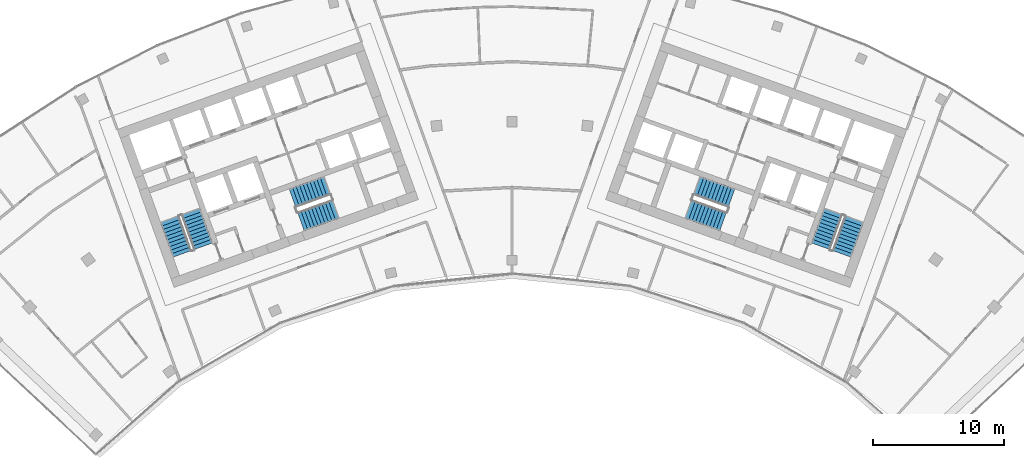
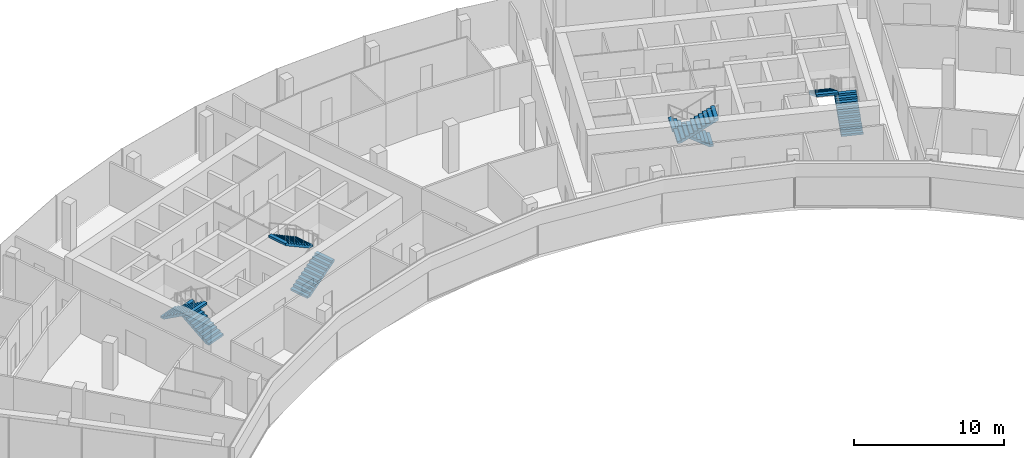
# One storey, part 17 of 18: 8 stair flights, 4 elements without a shape of their own.
"""IFC4 building model written with IfcOpenShell, lengths in metres."""

import ifcopenshell
import ifcopenshell.guid

model = None  # the IFC model being written
_history = None  # IfcOwnerHistory: only IFC2X3 demands one
_inside = {}  # id of a spatial element -> (the spatial element, [elements in it])
_under = {}  # id of a project, library or spatial element -> (it, [spatial elements below it])
_declared = {}  # id of a project -> (the project, [libraries it declares])
_typed = {}  # id of a type object -> (the type object, [elements of that type])
_made_of = {}  # id of a material, layer set ... -> (it, [elements and type objects made of it])


def new_model(schema):
    """Start an empty IFC model of exactly this schema.

    Asked for "IFC4X3", IfcOpenShell would pick the latest addendum, in which some entities
    have other attributes; the version numbers below select the first issue.
    IFC2X3 requires an IfcOwnerHistory on every rooted entity: one is made here for all.
    """
    global model, _history
    if schema == "IFC4X3":
        model = ifcopenshell.file(schema_version=(4, 3, 0, 0))
    else:
        model = ifcopenshell.file(schema=schema)
    _inside.clear()
    _under.clear()
    _declared.clear()
    _typed.clear()
    _made_of.clear()
    _history = None
    if model.schema == "IFC2X3":
        org = make("IfcOrganization", Name="unknown")
        user = make(
            "IfcPersonAndOrganization",
            ThePerson=make("IfcPerson", FamilyName="unknown"),
            TheOrganization=org,
        )
        app = make(
            "IfcApplication",
            ApplicationDeveloper=org,
            Version="unknown",
            ApplicationFullName="unknown",
            ApplicationIdentifier="unknown",
        )
        _history = make(
            "IfcOwnerHistory",
            OwningUser=user,
            OwningApplication=app,
            ChangeAction="ADDED",
            CreationDate=0,
        )
    return model


def make(cls, **values):
    """One entity of the class cls with the attributes given. An attribute that is None is left unset."""
    return model.create_entity(
        cls, **{name: value for name, value in values.items() if value is not None}
    )


def rooted(cls, **values):
    """An entity with a GlobalId (a new one), such as an element, a storey or a relation."""
    return make(cls, GlobalId=ifcopenshell.guid.new(), OwnerHistory=_history, **values)


def si_unit(unit_type, name, prefix=None):
    """IfcSIUnit, for example si_unit("LENGTHUNIT", "METRE", prefix="MILLI")."""
    return make("IfcSIUnit", UnitType=unit_type, Prefix=prefix, Name=name)


def assignment(units):
    """IfcUnitAssignment: the units of a project."""
    return None if units is None else make("IfcUnitAssignment", Units=units)


def point(xyz):
    """IfcCartesianPoint."""
    return None if xyz is None else make("IfcCartesianPoint", Coordinates=xyz)


def direction(xyz):
    """IfcDirection."""
    return None if xyz is None else make("IfcDirection", DirectionRatios=xyz)


def frame(location, z_axis=None, x_axis=None):
    """IfcAxis2Placement3D, a coordinate frame: its origin and axes. An axis left out is left unset."""
    return make(
        "IfcAxis2Placement3D",
        Location=point(location),
        Axis=direction(z_axis),
        RefDirection=direction(x_axis),
    )


def origin():
    """The frame at (0, 0, 0) with its axes left unset."""
    return frame((0.0, 0.0, 0.0))


def place(relative_to, where):
    """IfcLocalPlacement: puts the frame where relative to a parent placement (None: the world)."""
    return make(
        "IfcLocalPlacement", PlacementRelTo=relative_to, RelativePlacement=where
    )


def context(
    kind, dimensions, precision=None, world=None, true_north=None, identifier=None
):
    """IfcGeometricRepresentationContext, for example the 3D "Model" context."""
    return make(
        "IfcGeometricRepresentationContext",
        ContextIdentifier=identifier,
        ContextType=kind,
        CoordinateSpaceDimension=dimensions,
        Precision=precision,
        WorldCoordinateSystem=world,
        TrueNorth=true_north,
    )


def subcontext(parent, identifier, kind, view, scale=None):
    """IfcGeometricRepresentationSubContext, for example "Body" below "Model"."""
    return make(
        "IfcGeometricRepresentationSubContext",
        ContextIdentifier=identifier,
        ContextType=kind,
        ParentContext=parent,
        TargetScale=scale,
        TargetView=view,
    )


def project(units=None, contexts=None):
    """IfcProject with its units and contexts."""
    return rooted(
        "IfcProject",
        Name="project",
        RepresentationContexts=contexts,
        UnitsInContext=assignment(units),
    )


def spatial(cls, under=None, at=None, **own):
    """A site, building, storey or space (cls), placed at a placement, below another one or the project."""
    s = rooted(cls, ObjectPlacement=at, **own)
    if under is not None:
        _under.setdefault(under.id(), (under, []))[1].append(s)
    return s


def polyline(points):
    """IfcPolyline through the points."""
    return make("IfcPolyline", Points=[point(p) for p in points])


def outline(outer, holes=None, kind="AREA"):
    """IfcArbitraryClosedProfileDef: a profile drawn as a closed curve; with holes, ...WithVoids."""
    if holes is None:
        return make("IfcArbitraryClosedProfileDef", ProfileType=kind, OuterCurve=outer)
    return make(
        "IfcArbitraryProfileDefWithVoids",
        ProfileType=kind,
        OuterCurve=outer,
        InnerCurves=holes,
    )


def extrude(swept, where, along, depth):
    """IfcExtrudedAreaSolid: the profile swept, set in the frame where, extruded along a direction by depth."""
    return make(
        "IfcExtrudedAreaSolid",
        SweptArea=swept,
        Position=where,
        ExtrudedDirection=direction(along),
        Depth=depth,
    )


def shape(context_of_items, identifier, shape_type, items):
    """IfcShapeRepresentation: the items that make up one representation, for example the "Body"."""
    return make(
        "IfcShapeRepresentation",
        ContextOfItems=context_of_items,
        RepresentationIdentifier=identifier,
        RepresentationType=shape_type,
        Items=items,
    )


def material(Name=None, Category=None):
    """IfcMaterial."""
    return make("IfcMaterial", Name=Name, Category=Category)


def made_of(thing, what):
    """Note that an element or type object is made of a material, layer set ...; save() writes the relation."""
    if what is not None:
        _made_of.setdefault(what.id(), (what, []))[1].append(thing)
    return thing


def type_object(cls, material=None, **own):
    """A type object (cls), such as IfcWallType, which elements share."""
    return made_of(rooted(cls, **own), material)


def element(
    cls,
    number,
    at=None,
    inside=None,
    cuts=None,
    type_object=None,
    material=None,
    context=None,
    identifier="Body",
    shape_type=None,
    held_by="IfcProductDefinitionShape",
    body=None,
    shapes=None,
    **own,
):
    """One element of the class cls, such as IfcWall. Its Tag is "e" and its number.

    at: its placement. inside: the storey or other place that contains it. cuts: it is an
    opening in that element (IfcRelVoidsElement). A single representation is given by context,
    identifier, shape_type and body (its items); several are given by shapes. held_by: the class
    of the entity that holds the representations. save() writes the other relations.
    """
    e = rooted(cls, Tag="e%d" % number, ObjectPlacement=at, **own)
    if body is not None:
        shapes = [shape(context, identifier, shape_type, body)]
    if shapes is not None:
        e.Representation = make(held_by, Representations=shapes)
    if inside is not None:
        _inside.setdefault(inside.id(), (inside, []))[1].append(e)
    if cuts is not None:
        rooted(
            "IfcRelVoidsElement", RelatingBuildingElement=cuts, RelatedOpeningElement=e
        )
    if type_object is not None:
        _typed.setdefault(type_object.id(), (type_object, []))[1].append(e)
    return made_of(e, material)


def aggregate(whole, parts):
    """IfcRelAggregates: a whole, such as a stair, and the parts it consists of."""
    return rooted("IfcRelAggregates", RelatingObject=whole, RelatedObjects=parts)


def save(model, path):
    """Write the relations noted so far, then the file.

    IfcRelAggregates (storeys below a building ...), IfcRelContainedInSpatialStructure (elements
    in a storey), IfcRelDefinesByType, IfcRelAssociatesMaterial and IfcRelDeclares: one each for
    every whole, place, type object, material and project.
    """
    for whole, parts in _under.values():
        aggregate(whole, parts)
    for where, things in _inside.values():
        rooted(
            "IfcRelContainedInSpatialStructure",
            RelatedElements=things,
            RelatingStructure=where,
        )
    for kind, things in _typed.values():
        rooted("IfcRelDefinesByType", RelatedObjects=things, RelatingType=kind)
    for what, things in _made_of.values():
        rooted("IfcRelAssociatesMaterial", RelatedObjects=things, RelatingMaterial=what)
    for by, libraries in _declared.values():
        rooted("IfcRelDeclares", RelatingContext=by, RelatedDefinitions=libraries)
    model.write(path)


model = new_model("IFC4")

# Units and contexts
model_context = context("Model", 3, precision=1e-05, world=origin(), true_north=direction((0.0, 1.0)))
body_context = subcontext(model_context, "Body", "Model", "MODEL_VIEW")
ifc_project = project(units=[si_unit("LENGTHUNIT", "METRE"), si_unit("AREAUNIT", "SQUARE_METRE"), si_unit("VOLUMEUNIT", "CUBIC_METRE"), si_unit("PLANEANGLEUNIT", "RADIAN"), si_unit("MASSUNIT", "GRAM", prefix="KILO")], contexts=[model_context])

# Site, building, storey
site_placement = place(None, origin())
site = spatial("IfcSite", under=ifc_project, at=site_placement, CompositionType="ELEMENT")
building_placement = place(site_placement, origin())
building = spatial("IfcBuilding", under=site, at=building_placement, Name="Stone Belt Terrace Tower", CompositionType="ELEMENT")
storey_placement = place(building_placement, frame((0.0, 0.0, 261.800048828125)))
storey = spatial("IfcBuildingStorey", under=building, at=storey_placement, Name="L63", CompositionType="ELEMENT", Elevation=261.800048828125)

# Stair, stair flights
ifc_material = material(Name="Concrete B40", Category="concrete")
stair_type = type_object("IfcStairType", Name="Exit stair 1500", PredefinedType="HALF_TURN_STAIR", material=ifc_material)
stair_1_placement = place(storey_placement, origin())
stair_1 = element("IfcStair", 1, at=stair_1_placement, inside=storey, type_object=stair_type, Name="L63 Exit stair 1 core A", PredefinedType="HALF_TURN_STAIR")
stair_flight_type = type_object("IfcStairFlightType", Name="Stair flight 1500", PredefinedType="STRAIGHT", material=ifc_material)
stair_flight_1_placement = place(storey_placement, frame((-23.55322265625, 45.51318359375, 0.0), z_axis=(0.0, 0.0, 1.0), x_axis=(-0.338624396177, 0.940921632398, 0.0)))
stair_flight_1 = element("IfcStairFlight", 2, at=stair_flight_1_placement, type_object=stair_flight_type, Name="ST1A flight 1", NumberOfRisers=11, NumberOfTreads=10, PredefinedType="STRAIGHT", RiserHeight=0.172727273, TreadLength=0.28, context=body_context, shape_type="SweptSolid", body=[
    extrude(outline(polyline([(0.0, 0.0), (0.0, 0.172607421875), (0.280029296875, 0.172607421875), (0.280029296875, 0.345458984375), (0.56005859375, 0.345458984375), (0.56005859375, 0.51806640625), (0.840087890625, 0.51806640625), (0.840087890625, 0.69091796875), (1.1201171875, 0.69091796875), (1.1201171875, 0.863525390625), (1.39990234375, 0.863525390625), (1.39990234375, 1.036376953125), (1.679931640625, 1.036376953125), (1.679931640625, 1.208984375), (1.9599609375, 1.208984375), (1.9599609375, 1.3818359375), (2.239990234375, 1.3818359375), (2.239990234375, 1.554443359375), (2.52001953125, 1.554443359375), (2.52001953125, 1.727294921875), (2.800048828125, 1.727294921875), (2.800048828125, 1.89990234375), (2.800048828125, 1.551025390625), (0.285400390625, 0.0), (0.0, 0.0)])), frame((0.0, 0.75, 0.0), z_axis=(0.0, -1.0, 0.0), x_axis=(1.0, 0.0, 0.0)), (0.0, 0.0, 1.0), 1.5),
])
stair_flight_2_placement = place(storey_placement, frame((-26.10107421875, 47.572021484375, 1.89990234375), z_axis=(0.0, 0.0, 1.0), x_axis=(0.338624396177, -0.940921632398, 0.0)))
stair_flight_2 = element("IfcStairFlight", 3, at=stair_flight_2_placement, type_object=stair_flight_type, Name="ST1A flight 2", NumberOfRisers=11, NumberOfTreads=10, PredefinedType="STRAIGHT", RiserHeight=0.172727273, TreadLength=0.28, context=body_context, shape_type="SweptSolid", body=[
    extrude(outline(polyline([(0.0, 0.0), (0.0, 0.172607421875), (0.280029296875, 0.172607421875), (0.280029296875, 0.345458984375), (0.56005859375, 0.345458984375), (0.56005859375, 0.51806640625), (0.840087890625, 0.51806640625), (0.840087890625, 0.69091796875), (1.1201171875, 0.69091796875), (1.1201171875, 0.863525390625), (1.39990234375, 0.863525390625), (1.39990234375, 1.036376953125), (1.679931640625, 1.036376953125), (1.679931640625, 1.208984375), (1.9599609375, 1.208984375), (1.9599609375, 1.3818359375), (2.239990234375, 1.3818359375), (2.239990234375, 1.554443359375), (2.52001953125, 1.554443359375), (2.52001953125, 1.727294921875), (2.800048828125, 1.727294921875), (2.800048828125, 1.89990234375), (2.800048828125, 1.551025390625), (0.285400390625, 0.0), (0.0, 0.0)])), frame((0.0, 0.75, 0.0), z_axis=(0.0, -1.0, 0.0), x_axis=(1.0, 0.0, 0.0)), (0.0, 0.0, 1.0), 1.5),
])
aggregate(stair_1, [stair_flight_1, stair_flight_2])

stair_2_placement = place(storey_placement, origin())
stair_2 = element("IfcStair", 4, at=stair_2_placement, inside=storey, type_object=stair_type, Name="L63 Exit stair 2 core A", PredefinedType="HALF_TURN_STAIR")
stair_flight_3_placement = place(storey_placement, frame((-16.101318359375, 47.39794921875, 0.0), z_axis=(0.0, 0.0, 1.0), x_axis=(0.940921632398, 0.338624396177, 0.0)))
stair_flight_3 = element("IfcStairFlight", 5, at=stair_flight_3_placement, type_object=stair_flight_type, Name="ST2A flight 1", NumberOfRisers=11, NumberOfTreads=10, PredefinedType="STRAIGHT", RiserHeight=0.172727273, TreadLength=0.28, context=body_context, shape_type="SweptSolid", body=[
    extrude(outline(polyline([(0.0, 0.0), (0.0, 0.172607421875), (0.280029296875, 0.172607421875), (0.280029296875, 0.345458984375), (0.56005859375, 0.345458984375), (0.56005859375, 0.51806640625), (0.840087890625, 0.51806640625), (0.840087890625, 0.69091796875), (1.1201171875, 0.69091796875), (1.1201171875, 0.863525390625), (1.39990234375, 0.863525390625), (1.39990234375, 1.036376953125), (1.679931640625, 1.036376953125), (1.679931640625, 1.208984375), (1.9599609375, 1.208984375), (1.9599609375, 1.3818359375), (2.239990234375, 1.3818359375), (2.239990234375, 1.554443359375), (2.52001953125, 1.554443359375), (2.52001953125, 1.727294921875), (2.800048828125, 1.727294921875), (2.800048828125, 1.89990234375), (2.800048828125, 1.551025390625), (0.285400390625, 0.0), (0.0, 0.0)])), frame((0.0, 0.75, 0.0), z_axis=(0.0, -1.0, 0.0), x_axis=(1.0, 0.0, 0.0)), (0.0, 0.0, 1.0), 1.5),
])
stair_flight_4_placement = place(storey_placement, frame((-14.110107421875, 50.1337890625, 1.89990234375), z_axis=(0.0, 0.0, 1.0), x_axis=(-0.940921632398, -0.338624396177, 0.0)))
stair_flight_4 = element("IfcStairFlight", 6, at=stair_flight_4_placement, type_object=stair_flight_type, Name="ST2A flight 2", NumberOfRisers=11, NumberOfTreads=10, PredefinedType="STRAIGHT", RiserHeight=0.172727273, TreadLength=0.28, context=body_context, shape_type="SweptSolid", body=[
    extrude(outline(polyline([(0.0, 0.0), (0.0, 0.172607421875), (0.280029296875, 0.172607421875), (0.280029296875, 0.345458984375), (0.56005859375, 0.345458984375), (0.56005859375, 0.51806640625), (0.840087890625, 0.51806640625), (0.840087890625, 0.69091796875), (1.1201171875, 0.69091796875), (1.1201171875, 0.863525390625), (1.39990234375, 0.863525390625), (1.39990234375, 1.036376953125), (1.679931640625, 1.036376953125), (1.679931640625, 1.208984375), (1.9599609375, 1.208984375), (1.9599609375, 1.3818359375), (2.239990234375, 1.3818359375), (2.239990234375, 1.554443359375), (2.52001953125, 1.554443359375), (2.52001953125, 1.727294921875), (2.800048828125, 1.727294921875), (2.800048828125, 1.89990234375), (2.800048828125, 1.551025390625), (0.285400390625, 0.0), (0.0, 0.0)])), frame((0.0, 0.75, 0.0), z_axis=(0.0, -1.0, 0.0), x_axis=(1.0, 0.0, 0.0)), (0.0, 0.0, 1.0), 1.5),
])
aggregate(stair_2, [stair_flight_3, stair_flight_4])

stair_3_placement = place(storey_placement, origin())
stair_3 = element("IfcStair", 7, at=stair_3_placement, inside=storey, type_object=stair_type, Name="L63 Exit stair 1 core B", PredefinedType="HALF_TURN_STAIR")
stair_flight_5_placement = place(storey_placement, frame((25.15283203125, 44.9375, 0.0), z_axis=(0.0, 0.0, 1.0), x_axis=(0.338624396177, 0.940921632398, 0.0)))
stair_flight_5 = element("IfcStairFlight", 8, at=stair_flight_5_placement, type_object=stair_flight_type, Name="ST1B flight 1", NumberOfRisers=11, NumberOfTreads=10, PredefinedType="STRAIGHT", RiserHeight=0.172727273, TreadLength=0.28, context=body_context, shape_type="SweptSolid", body=[
    extrude(outline(polyline([(0.0, 0.0), (0.0, 0.172607421875), (0.280029296875, 0.172607421875), (0.280029296875, 0.345458984375), (0.56005859375, 0.345458984375), (0.56005859375, 0.51806640625), (0.840087890625, 0.51806640625), (0.840087890625, 0.69091796875), (1.1201171875, 0.69091796875), (1.1201171875, 0.863525390625), (1.39990234375, 0.863525390625), (1.39990234375, 1.036376953125), (1.679931640625, 1.036376953125), (1.679931640625, 1.208984375), (1.9599609375, 1.208984375), (1.9599609375, 1.3818359375), (2.239990234375, 1.3818359375), (2.239990234375, 1.554443359375), (2.52001953125, 1.554443359375), (2.52001953125, 1.727294921875), (2.800048828125, 1.727294921875), (2.800048828125, 1.89990234375), (2.800048828125, 1.551025390625), (0.285400390625, 0.0), (0.0, 0.0)])), frame((0.0, 0.75, 0.0), z_axis=(0.0, -1.0, 0.0), x_axis=(1.0, 0.0, 0.0)), (0.0, 0.0, 1.0), 1.5),
])
stair_flight_6_placement = place(storey_placement, frame((24.50146484375, 48.147705078125, 1.89990234375), z_axis=(0.0, 0.0, 1.0), x_axis=(-0.338624396177, -0.940921632398, 0.0)))
stair_flight_6 = element("IfcStairFlight", 9, at=stair_flight_6_placement, type_object=stair_flight_type, Name="ST1B flight 2", NumberOfRisers=11, NumberOfTreads=10, PredefinedType="STRAIGHT", RiserHeight=0.172727273, TreadLength=0.28, context=body_context, shape_type="SweptSolid", body=[
    extrude(outline(polyline([(0.0, 0.0), (0.0, 0.172607421875), (0.280029296875, 0.172607421875), (0.280029296875, 0.345458984375), (0.56005859375, 0.345458984375), (0.56005859375, 0.51806640625), (0.840087890625, 0.51806640625), (0.840087890625, 0.69091796875), (1.1201171875, 0.69091796875), (1.1201171875, 0.863525390625), (1.39990234375, 0.863525390625), (1.39990234375, 1.036376953125), (1.679931640625, 1.036376953125), (1.679931640625, 1.208984375), (1.9599609375, 1.208984375), (1.9599609375, 1.3818359375), (2.239990234375, 1.3818359375), (2.239990234375, 1.554443359375), (2.52001953125, 1.554443359375), (2.52001953125, 1.727294921875), (2.800048828125, 1.727294921875), (2.800048828125, 1.89990234375), (2.800048828125, 1.551025390625), (0.285400390625, 0.0), (0.0, 0.0)])), frame((0.0, 0.75, 0.0), z_axis=(0.0, -1.0, 0.0), x_axis=(1.0, 0.0, 0.0)), (0.0, 0.0, 1.0), 1.5),
])
aggregate(stair_3, [stair_flight_5, stair_flight_6])

stair_4_placement = place(storey_placement, origin())
stair_4 = element("IfcStair", 10, at=stair_4_placement, inside=storey, type_object=stair_type, Name="L63 Exit stair 2 core B", PredefinedType="HALF_TURN_STAIR")
stair_flight_7_placement = place(storey_placement, frame((16.74462890625, 49.185546875, 0.0), z_axis=(0.0, 0.0, 1.0), x_axis=(-0.940921632398, 0.338624396177, 0.0)))
stair_flight_7 = element("IfcStairFlight", 11, at=stair_flight_7_placement, type_object=stair_flight_type, Name="ST2B flight 1", NumberOfRisers=11, NumberOfTreads=10, PredefinedType="STRAIGHT", RiserHeight=0.172727273, TreadLength=0.28, context=body_context, shape_type="SweptSolid", body=[
    extrude(outline(polyline([(0.0, 0.0), (0.0, 0.172607421875), (0.280029296875, 0.172607421875), (0.280029296875, 0.345458984375), (0.56005859375, 0.345458984375), (0.56005859375, 0.51806640625), (0.840087890625, 0.51806640625), (0.840087890625, 0.69091796875), (1.1201171875, 0.69091796875), (1.1201171875, 0.863525390625), (1.39990234375, 0.863525390625), (1.39990234375, 1.036376953125), (1.679931640625, 1.036376953125), (1.679931640625, 1.208984375), (1.9599609375, 1.208984375), (1.9599609375, 1.3818359375), (2.239990234375, 1.3818359375), (2.239990234375, 1.554443359375), (2.52001953125, 1.554443359375), (2.52001953125, 1.727294921875), (2.800048828125, 1.727294921875), (2.800048828125, 1.89990234375), (2.800048828125, 1.551025390625), (0.285400390625, 0.0), (0.0, 0.0)])), frame((0.0, 0.75, 0.0), z_axis=(0.0, -1.0, 0.0), x_axis=(1.0, 0.0, 0.0)), (0.0, 0.0, 1.0), 1.5),
])
stair_flight_8_placement = place(storey_placement, frame((13.466796875, 48.345947265625, 1.89990234375), z_axis=(0.0, 0.0, 1.0), x_axis=(0.940921632398, -0.338624396177, 0.0)))
stair_flight_8 = element("IfcStairFlight", 12, at=stair_flight_8_placement, type_object=stair_flight_type, Name="ST2B flight 2", NumberOfRisers=11, NumberOfTreads=10, PredefinedType="STRAIGHT", RiserHeight=0.172727273, TreadLength=0.28, context=body_context, shape_type="SweptSolid", body=[
    extrude(outline(polyline([(0.0, 0.0), (0.0, 0.172607421875), (0.280029296875, 0.172607421875), (0.280029296875, 0.345458984375), (0.56005859375, 0.345458984375), (0.56005859375, 0.51806640625), (0.840087890625, 0.51806640625), (0.840087890625, 0.69091796875), (1.1201171875, 0.69091796875), (1.1201171875, 0.863525390625), (1.39990234375, 0.863525390625), (1.39990234375, 1.036376953125), (1.679931640625, 1.036376953125), (1.679931640625, 1.208984375), (1.9599609375, 1.208984375), (1.9599609375, 1.3818359375), (2.239990234375, 1.3818359375), (2.239990234375, 1.554443359375), (2.52001953125, 1.554443359375), (2.52001953125, 1.727294921875), (2.800048828125, 1.727294921875), (2.800048828125, 1.89990234375), (2.800048828125, 1.551025390625), (0.285400390625, 0.0), (0.0, 0.0)])), frame((0.0, 0.75, 0.0), z_axis=(0.0, -1.0, 0.0), x_axis=(1.0, 0.0, 0.0)), (0.0, 0.0, 1.0), 1.5),
])
aggregate(stair_4, [stair_flight_7, stair_flight_8])

save(model, "model.ifc")
